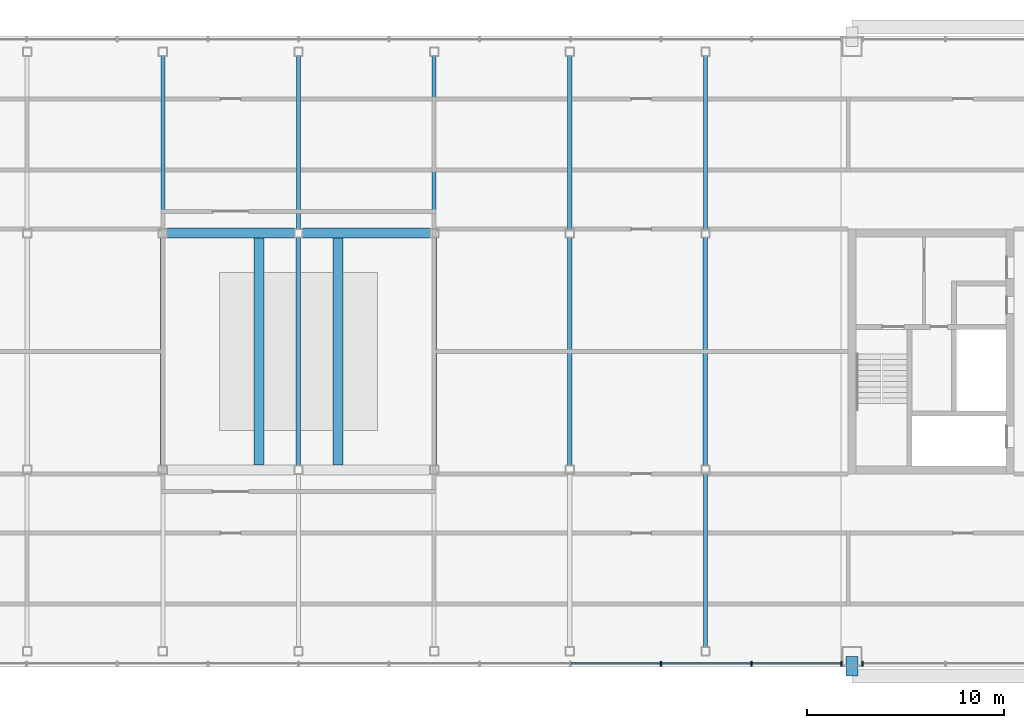
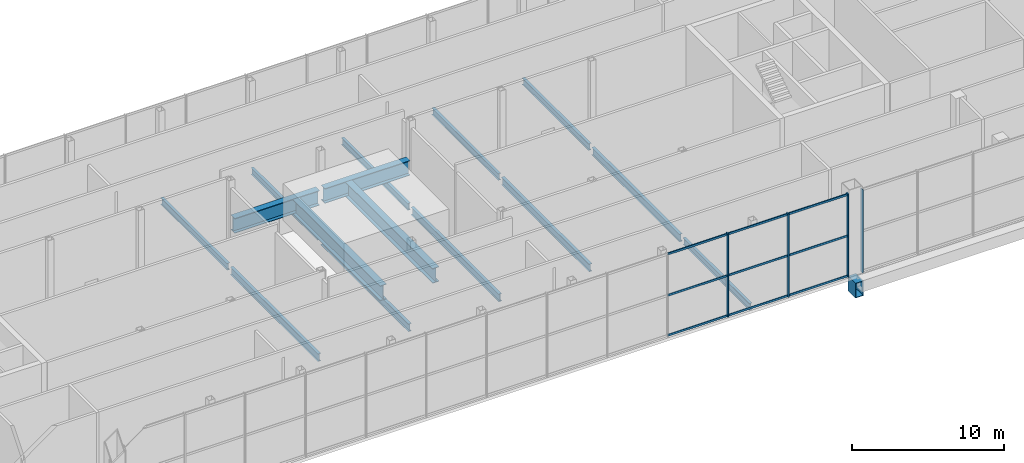
# One storey, part 9 of 27: 16 beams, 13 members, 2 elements without a shape of their own.
"""IFC4 building model written with IfcOpenShell, lengths in metres."""

from ifc_helpers import new_model, si_unit, direction, frame, origin, origin_2d, place, context, subcontext, project, spatial, rectangle, hollow_rectangle, i_section, extrude, material, material_profile, profile_set, type_object, element, aggregate, save


model = new_model("IFC4")

# Units and contexts
model_context = context("Model", 3, precision=1e-05, world=origin(), true_north=direction((0.0, 1.0)))
body_context = subcontext(model_context, "Body", "Model", "MODEL_VIEW")
ifc_project = project(units=[si_unit("LENGTHUNIT", "METRE"), si_unit("AREAUNIT", "SQUARE_METRE"), si_unit("VOLUMEUNIT", "CUBIC_METRE"), si_unit("PLANEANGLEUNIT", "RADIAN"), si_unit("MASSUNIT", "GRAM", prefix="KILO")], contexts=[model_context])

# Site, building, storey
site_placement = place(None, origin())
site = spatial("IfcSite", under=ifc_project, at=site_placement, CompositionType="ELEMENT")
building_placement = place(site_placement, origin())
building = spatial("IfcBuilding", under=site, at=building_placement, Name="Tuart Gate Housing", CompositionType="ELEMENT")
storey_placement = place(building_placement, frame((0.0, 0.0, 236.89990234375)))
storey = spatial("IfcBuildingStorey", under=building, at=storey_placement, Name="L67", CompositionType="ELEMENT", Elevation=236.89990234375)

# Beams
ifc_material_1 = material(Name="Steel Grade 350", Category="steel")
ifc_material_profile_1 = material_profile(ifc_material_1, hollow_rectangle(XDim=0.60009765625, YDim=1.199951171875, WallThickness=0.0400390625, at=origin_2d()), Name="BOX 1200x600x40")
ifc_profile_set_1 = profile_set([ifc_material_profile_1], Name="Steel Grade 350")
beam_type_1 = type_object("IfcBeamType", Name="Brace shoe BOX 1200x600x40", PredefinedType="BEAM", material=ifc_profile_set_1)
beam_placement = place(storey_placement, frame((131.550048828125, 54.550048828125, -0.849853515625), z_axis=(0.0, -1.0, 0.0), x_axis=(1.0, 0.0, 0.0)))
element("IfcBeam", 1, at=beam_placement, inside=storey, type_object=beam_type_1, Name="Mega tie beam B node 8 south shoe 0 L67", PredefinedType="BEAM", context=body_context, shape_type="SweptSolid", body=[
    extrude(hollow_rectangle(XDim=0.60009765625, YDim=1.199951171875, WallThickness=0.0400390625, at=origin_2d()), origin(), (0.0, 0.0, 1.0), 1.0),
])
ifc_material_2 = material(Name="Steel Grade 350", Category="steel")
ifc_material_profile_2 = material_profile(ifc_material_2, i_section(OverallWidth=0.5, OverallDepth=1.199951171875, WebThickness=0.01611328125, FlangeThickness=0.0400390625, at=origin_2d()), Name="1200WB455")
ifc_profile_set_2 = profile_set([ifc_material_profile_2], Name="Steel Grade 350")
beam_type_2 = type_object("IfcBeamType", Name="Damper grillage girder 1200 WB455", PredefinedType="BEAM", material=ifc_profile_set_2)
for number, where, z_axis, x_axis, name in (
    (2, (96.824951171875, 76.0, 2.9501953125), (1.0, 0.0, 0.0), (0.0, 1.0, 0.0), "Damper grillage girder 2A"),
    (3, (103.699951171875, 76.0, 2.9501953125), (1.0, 0.0, 0.0), (0.0, 1.0, 0.0), "Damper grillage girder 2B"),
):
    element("IfcBeam", number, at=place(storey_placement, frame(where, z_axis=z_axis, x_axis=x_axis)), inside=storey, type_object=beam_type_2, Name=name, PredefinedType="BEAM", context=body_context, shape_type="SweptSolid", body=[
        extrude(i_section(OverallWidth=0.5, OverallDepth=1.199951171875, WebThickness=0.01611328125, FlangeThickness=0.0400390625, at=origin_2d()), origin(), (0.0, 0.0, 1.0), 6.47509765625),
    ])
ifc_material_3 = material(Name="Steel Grade 350", Category="steel")
ifc_material_profile_3 = material_profile(ifc_material_3, i_section(OverallWidth=0.5, OverallDepth=1.199951171875, WebThickness=0.01611328125, FlangeThickness=0.0400390625, at=origin_2d()), Name="1200WB455")
ifc_profile_set_3 = profile_set([ifc_material_profile_3], Name="Steel Grade 350")
beam_type_3 = type_object("IfcBeamType", Name="Damper grillage girder 1200 WB455 (11.5-11.5 m)", PredefinedType="BEAM", material=ifc_profile_set_3)
for number, where, z_axis, x_axis, name in (
    (4, (101.5, 64.25, 2.9501953125), (0.0, 1.0, 0.0), (-1.0, 0.0, 0.0), "Damper grillage cross girder 1"),
    (5, (105.5, 64.25, 2.9501953125), (0.0, 1.0, 0.0), (-1.0, 0.0, 0.0), "Damper grillage cross girder 2"),
):
    element("IfcBeam", number, at=place(storey_placement, frame(where, z_axis=z_axis, x_axis=x_axis)), inside=storey, type_object=beam_type_3, Name=name, PredefinedType="BEAM", context=body_context, shape_type="SweptSolid", body=[
        extrude(i_section(OverallWidth=0.5, OverallDepth=1.199951171875, WebThickness=0.01611328125, FlangeThickness=0.0400390625, at=origin_2d()), origin(), (0.0, 0.0, 1.0), 11.5),
    ])
ifc_material_4 = material(Name="Steel Grade 350", Category="steel")
ifc_material_profile_4 = material_profile(ifc_material_4, i_section(OverallWidth=0.208984375, OverallDepth=0.532958984375, WebThickness=0.01025390625, FlangeThickness=0.015625, at=origin_2d()), Name="530UB92.4")
ifc_profile_set_4 = profile_set([ifc_material_profile_4], Name="Steel Grade 350")
beam_type_4 = type_object("IfcBeamType", Name="Floor beam 530 UB92.4", PredefinedType="BEAM", material=ifc_profile_set_4)
for number, where, z_axis, x_axis, name in (
    (6, (96.625, 76.215087890625, -0.515869140625), (0.0, 1.0, 0.0), (-1.0, 0.0, 0.0), "Block floor beam L67 bay 3 position 3"),
    (7, (103.5, 76.215087890625, -0.515869140625), (0.0, 1.0, 0.0), (-1.0, 0.0, 0.0), "Block floor beam L67 bay 4 position 3"),
    (8, (110.375, 76.215087890625, -0.515869140625), (0.0, 1.0, 0.0), (-1.0, 0.0, 0.0), "Block floor beam L67 bay 5 position 3"),
    (9, (117.25, 76.215087890625, -0.515869140625), (0.0, 1.0, 0.0), (-1.0, 0.0, 0.0), "Block floor beam L67 bay 6 position 3"),
    (10, (124.125, 55.014892578125, -0.515869140625), (0.0, 1.0, 0.0), (-1.0, 0.0, 0.0), "Block floor beam L67 bay 7 position 1"),
    (11, (124.125, 76.215087890625, -0.515869140625), (0.0, 1.0, 0.0), (-1.0, 0.0, 0.0), "Block floor beam L67 bay 7 position 3"),
):
    element("IfcBeam", number, at=place(storey_placement, frame(where, z_axis=z_axis, x_axis=x_axis)), inside=storey, type_object=beam_type_4, Name=name, PredefinedType="BEAM", context=body_context, shape_type="SweptSolid", body=[
        extrude(i_section(OverallWidth=0.208984375, OverallDepth=0.532958984375, WebThickness=0.01025390625, FlangeThickness=0.015625, at=origin_2d()), origin(), (0.0, 0.0, 1.0), 8.77001953125),
    ])
ifc_material_5 = material(Name="Steel Grade 350", Category="steel")
ifc_material_profile_5 = material_profile(ifc_material_5, i_section(OverallWidth=0.22900390625, OverallDepth=0.612060546875, WebThickness=0.011962890625, FlangeThickness=0.01953125, at=origin_2d()), Name="610UB125")
ifc_profile_set_5 = profile_set([ifc_material_profile_5], Name="Steel Grade 350")
beam_type_5 = type_object("IfcBeamType", Name="Floor beam 610 UB125", PredefinedType="BEAM", material=ifc_profile_set_5)
for number, where, z_axis, x_axis, name in (
    (12, (96.625, 64.215087890625, -0.555908203125), (0.0, 1.0, 0.0), (-1.0, 0.0, 0.0), "Block floor beam L67 bay 3 position 2"),
    (13, (103.5, 64.215087890625, -0.555908203125), (0.0, 1.0, 0.0), (-1.0, 0.0, 0.0), "Block floor beam L67 bay 4 position 2"),
    (14, (110.375, 64.215087890625, -0.555908203125), (0.0, 1.0, 0.0), (-1.0, 0.0, 0.0), "Block floor beam L67 bay 5 position 2"),
    (15, (117.25, 64.215087890625, -0.555908203125), (0.0, 1.0, 0.0), (-1.0, 0.0, 0.0), "Block floor beam L67 bay 6 position 2"),
    (16, (124.125, 64.215087890625, -0.555908203125), (0.0, 1.0, 0.0), (-1.0, 0.0, 0.0), "Block floor beam L67 bay 7 position 2"),
):
    element("IfcBeam", number, at=place(storey_placement, frame(where, z_axis=z_axis, x_axis=x_axis)), inside=storey, type_object=beam_type_5, Name=name, PredefinedType="BEAM", context=body_context, shape_type="SweptSolid", body=[
        extrude(i_section(OverallWidth=0.22900390625, OverallDepth=0.612060546875, WebThickness=0.011962890625, FlangeThickness=0.01953125, at=origin_2d()), origin(), (0.0, 0.0, 1.0), 11.56982421875),
    ])

# Curtain wall, members
ifc_material_6 = material(Name="Aluminium and clear glass", Category="aluminium")
curtain_wall_type = type_object("IfcCurtainWallType", Name="Damper floor glazing", PredefinedType="USERDEFINED", material=ifc_material_6)
curtain_wall_1_placement = place(storey_placement, origin())
curtain_wall_1 = element("IfcCurtainWall", 17, at=curtain_wall_1_placement, inside=storey, type_object=curtain_wall_type, Name="Damper floor glazing BLK-S L67", ObjectType="DAMPER FLOOR GLAZING", PredefinedType="USERDEFINED")
ifc_material_7 = material(Name="Anodised aluminium", Category="aluminium")
ifc_material_profile_6 = material_profile(ifc_material_7, rectangle(XDim=0.080078125, YDim=0.25, at=origin_2d()), Name="80x250")
ifc_profile_set_6 = profile_set([ifc_material_profile_6], Name="Anodised aluminium")
member_type_1 = type_object("IfcMemberType", Name="Mullion 80 x 250", PredefinedType="MULLION", material=ifc_profile_set_6)
member_1_placement = place(storey_placement, frame((121.86669921875, 54.179931640625, 0.0), z_axis=(0.0, 0.0, 1.0), x_axis=(1.0, 0.0, 0.0)))
member_1 = element("IfcMember", 18, at=member_1_placement, type_object=member_type_1, Name="CW5 mullion 11", PredefinedType="MULLION", context=body_context, shape_type="SweptSolid", body=[
    extrude(rectangle(XDim=0.080078125, YDim=0.25, at=origin_2d()), origin(), (0.0, 0.0, 1.0), 6.7001953125),
])
member_2_placement = place(storey_placement, frame((126.458251953125, 54.179931640625, 0.0), z_axis=(0.0, 0.0, 1.0), x_axis=(1.0, 0.0, 0.0)))
member_2 = element("IfcMember", 19, at=member_2_placement, type_object=member_type_1, Name="CW5 mullion 12", PredefinedType="MULLION", context=body_context, shape_type="SweptSolid", body=[
    extrude(rectangle(XDim=0.080078125, YDim=0.25, at=origin_2d()), origin(), (0.0, 0.0, 1.0), 6.7001953125),
])
member_3_placement = place(storey_placement, frame((131.010009765625, 54.179931640625, 0.0), z_axis=(0.0, 0.0, 1.0), x_axis=(1.0, 0.0, 0.0)))
member_3 = element("IfcMember", 20, at=member_3_placement, type_object=member_type_1, Name="CW5 mullion 13", PredefinedType="MULLION", context=body_context, shape_type="SweptSolid", body=[
    extrude(rectangle(XDim=0.080078125, YDim=0.25, at=origin_2d()), origin(), (0.0, 0.0, 1.0), 6.7001953125),
])

# Curtain wall, member
curtain_wall_2_placement = place(storey_placement, origin())
curtain_wall_2 = element("IfcCurtainWall", 21, at=curtain_wall_2_placement, inside=storey, type_object=curtain_wall_type, Name="Damper floor glazing BLK-S L67", ObjectType="DAMPER FLOOR GLAZING", PredefinedType="USERDEFINED")
member_4_placement = place(storey_placement, frame((132.090087890625, 54.179931640625, 0.0), z_axis=(0.0, 0.0, 1.0), x_axis=(1.0, 0.0, 0.0)))
member_4 = element("IfcMember", 22, at=member_4_placement, type_object=member_type_1, Name="CW5 mullion 1", PredefinedType="MULLION", context=body_context, shape_type="SweptSolid", body=[
    extrude(rectangle(XDim=0.080078125, YDim=0.25, at=origin_2d()), origin(), (0.0, 0.0, 1.0), 6.7001953125),
])
aggregate(curtain_wall_2, [member_4])

# Member
ifc_material_8 = material(Name="Anodised aluminium", Category="aluminium")
ifc_material_profile_7 = material_profile(ifc_material_8, rectangle(XDim=0.080078125, YDim=0.159912109375, at=origin_2d()), Name="80x160")
ifc_profile_set_7 = profile_set([ifc_material_profile_7], Name="Anodised aluminium")
member_type_2 = type_object("IfcMemberType", Name="Transom 80 x 160", PredefinedType="USERDEFINED", material=ifc_profile_set_7)
member_5_placement = place(storey_placement, frame((117.31494140625, 54.179931640625, 0.080078125), z_axis=(1.0, 0.0, 0.0), x_axis=(0.0, 1.0, 0.0)))
member_5 = element("IfcMember", 23, at=member_5_placement, type_object=member_type_2, Name="CW5 transom 10.1", ObjectType="TRANSOM", PredefinedType="USERDEFINED", context=body_context, shape_type="SweptSolid", body=[
    extrude(rectangle(XDim=0.080078125, YDim=0.159912109375, at=origin_2d()), origin(), (0.0, 0.0, 1.0), 4.51171875),
])

member_6_placement = place(storey_placement, frame((117.31494140625, 54.179931640625, 3.300048828125), z_axis=(1.0, 0.0, 0.0), x_axis=(0.0, 1.0, 0.0)))
member_6 = element("IfcMember", 24, at=member_6_placement, type_object=member_type_2, Name="CW5 transom 10.2", ObjectType="TRANSOM", PredefinedType="USERDEFINED", context=body_context, shape_type="SweptSolid", body=[
    extrude(rectangle(XDim=0.080078125, YDim=0.159912109375, at=origin_2d()), origin(), (0.0, 0.0, 1.0), 4.51171875),
])

member_7_placement = place(storey_placement, frame((117.31494140625, 54.179931640625, 6.6201171875), z_axis=(1.0, 0.0, 0.0), x_axis=(0.0, 1.0, 0.0)))
member_7 = element("IfcMember", 25, at=member_7_placement, type_object=member_type_2, Name="CW5 transom 10.3", ObjectType="TRANSOM", PredefinedType="USERDEFINED", context=body_context, shape_type="SweptSolid", body=[
    extrude(rectangle(XDim=0.080078125, YDim=0.159912109375, at=origin_2d()), origin(), (0.0, 0.0, 1.0), 4.51171875),
])

member_8_placement = place(storey_placement, frame((121.90673828125, 54.179931640625, 0.080078125), z_axis=(1.0, 0.0, 0.0), x_axis=(0.0, 1.0, 0.0)))
member_8 = element("IfcMember", 26, at=member_8_placement, type_object=member_type_2, Name="CW5 transom 11.1", ObjectType="TRANSOM", PredefinedType="USERDEFINED", context=body_context, shape_type="SweptSolid", body=[
    extrude(rectangle(XDim=0.080078125, YDim=0.159912109375, at=origin_2d()), origin(), (0.0, 0.0, 1.0), 4.511474609375),
])

member_9_placement = place(storey_placement, frame((121.90673828125, 54.179931640625, 3.300048828125), z_axis=(1.0, 0.0, 0.0), x_axis=(0.0, 1.0, 0.0)))
member_9 = element("IfcMember", 27, at=member_9_placement, type_object=member_type_2, Name="CW5 transom 11.2", ObjectType="TRANSOM", PredefinedType="USERDEFINED", context=body_context, shape_type="SweptSolid", body=[
    extrude(rectangle(XDim=0.080078125, YDim=0.159912109375, at=origin_2d()), origin(), (0.0, 0.0, 1.0), 4.511474609375),
])

member_10_placement = place(storey_placement, frame((121.90673828125, 54.179931640625, 6.6201171875), z_axis=(1.0, 0.0, 0.0), x_axis=(0.0, 1.0, 0.0)))
member_10 = element("IfcMember", 28, at=member_10_placement, type_object=member_type_2, Name="CW5 transom 11.3", ObjectType="TRANSOM", PredefinedType="USERDEFINED", context=body_context, shape_type="SweptSolid", body=[
    extrude(rectangle(XDim=0.080078125, YDim=0.159912109375, at=origin_2d()), origin(), (0.0, 0.0, 1.0), 4.511474609375),
])

member_11_placement = place(storey_placement, frame((126.498291015625, 54.179931640625, 0.080078125), z_axis=(1.0, 0.0, 0.0), x_axis=(0.0, 1.0, 0.0)))
member_11 = element("IfcMember", 29, at=member_11_placement, type_object=member_type_2, Name="CW5 transom 12.1", ObjectType="TRANSOM", PredefinedType="USERDEFINED", context=body_context, shape_type="SweptSolid", body=[
    extrude(rectangle(XDim=0.080078125, YDim=0.159912109375, at=origin_2d()), origin(), (0.0, 0.0, 1.0), 4.4716796875),
])

member_12_placement = place(storey_placement, frame((126.498291015625, 54.179931640625, 3.300048828125), z_axis=(1.0, 0.0, 0.0), x_axis=(0.0, 1.0, 0.0)))
member_12 = element("IfcMember", 30, at=member_12_placement, type_object=member_type_2, Name="CW5 transom 12.2", ObjectType="TRANSOM", PredefinedType="USERDEFINED", context=body_context, shape_type="SweptSolid", body=[
    extrude(rectangle(XDim=0.080078125, YDim=0.159912109375, at=origin_2d()), origin(), (0.0, 0.0, 1.0), 4.4716796875),
])

member_13_placement = place(storey_placement, frame((126.498291015625, 54.179931640625, 6.6201171875), z_axis=(1.0, 0.0, 0.0), x_axis=(0.0, 1.0, 0.0)))
member_13 = element("IfcMember", 31, at=member_13_placement, type_object=member_type_2, Name="CW5 transom 12.3", ObjectType="TRANSOM", PredefinedType="USERDEFINED", context=body_context, shape_type="SweptSolid", body=[
    extrude(rectangle(XDim=0.080078125, YDim=0.159912109375, at=origin_2d()), origin(), (0.0, 0.0, 1.0), 4.4716796875),
])

aggregate(curtain_wall_1, [member_1, member_2, member_3, member_5, member_6, member_7, member_8, member_9, member_10, member_11, member_12, member_13])

save(model, "model.ifc")
